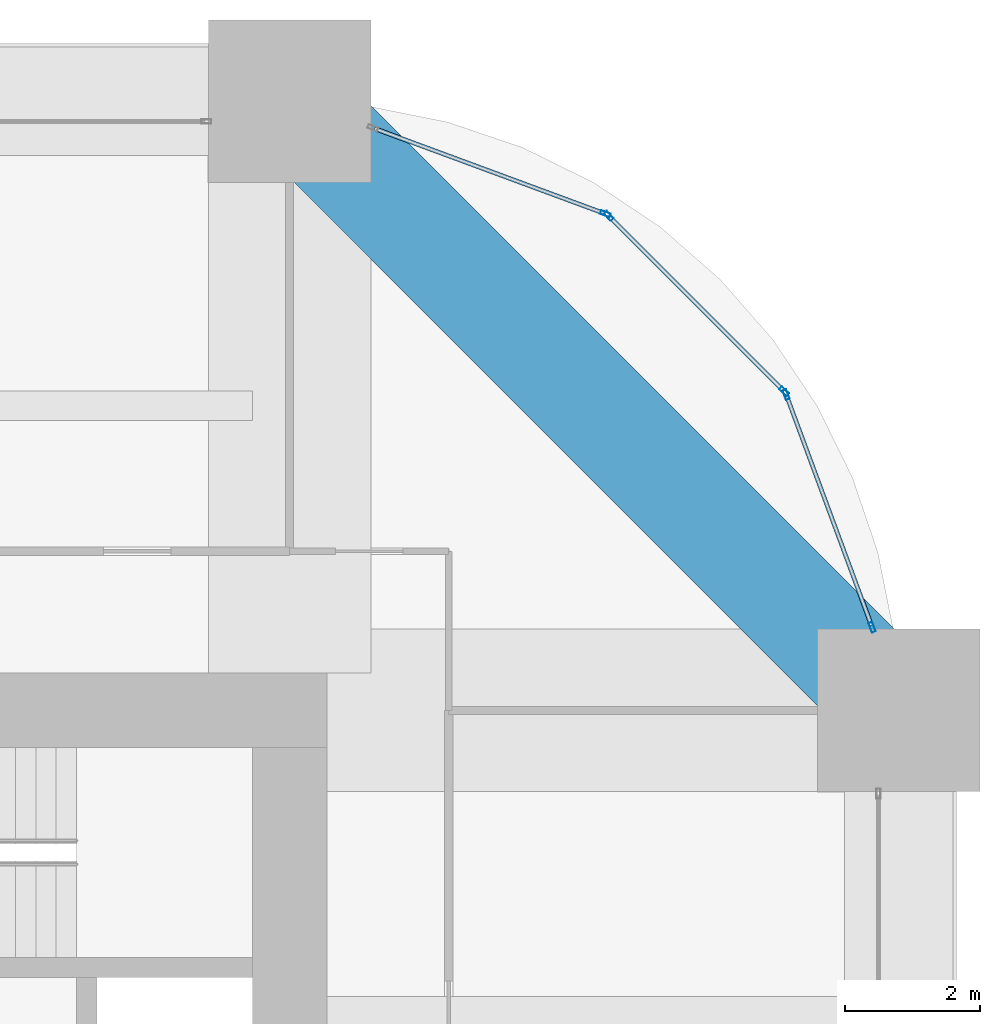
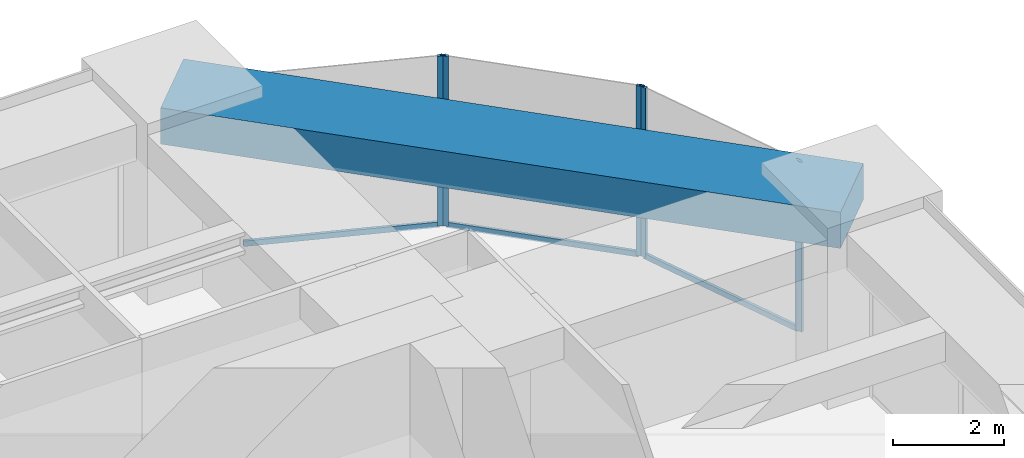
# One storey, part 28 of 35: 8 members, 1 beam, 3 elements without a shape of their own.
"""IFC4 building model written with IfcOpenShell, lengths in metres."""

import ifcopenshell
import ifcopenshell.guid

model = None  # the IFC model being written
_history = None  # IfcOwnerHistory: only IFC2X3 demands one
_inside = {}  # id of a spatial element -> (the spatial element, [elements in it])
_under = {}  # id of a project, library or spatial element -> (it, [spatial elements below it])
_declared = {}  # id of a project -> (the project, [libraries it declares])
_typed = {}  # id of a type object -> (the type object, [elements of that type])
_made_of = {}  # id of a material, layer set ... -> (it, [elements and type objects made of it])


def new_model(schema):
    """Start an empty IFC model of exactly this schema.

    Asked for "IFC4X3", IfcOpenShell would pick the latest addendum, in which some entities
    have other attributes; the version numbers below select the first issue.
    IFC2X3 requires an IfcOwnerHistory on every rooted entity: one is made here for all.
    """
    global model, _history
    if schema == "IFC4X3":
        model = ifcopenshell.file(schema_version=(4, 3, 0, 0))
    else:
        model = ifcopenshell.file(schema=schema)
    _inside.clear()
    _under.clear()
    _declared.clear()
    _typed.clear()
    _made_of.clear()
    _history = None
    if model.schema == "IFC2X3":
        org = make("IfcOrganization", Name="unknown")
        user = make(
            "IfcPersonAndOrganization",
            ThePerson=make("IfcPerson", FamilyName="unknown"),
            TheOrganization=org,
        )
        app = make(
            "IfcApplication",
            ApplicationDeveloper=org,
            Version="unknown",
            ApplicationFullName="unknown",
            ApplicationIdentifier="unknown",
        )
        _history = make(
            "IfcOwnerHistory",
            OwningUser=user,
            OwningApplication=app,
            ChangeAction="ADDED",
            CreationDate=0,
        )
    return model


def make(cls, **values):
    """One entity of the class cls with the attributes given. An attribute that is None is left unset."""
    return model.create_entity(
        cls, **{name: value for name, value in values.items() if value is not None}
    )


def rooted(cls, **values):
    """An entity with a GlobalId (a new one), such as an element, a storey or a relation."""
    return make(cls, GlobalId=ifcopenshell.guid.new(), OwnerHistory=_history, **values)


def si_unit(unit_type, name, prefix=None):
    """IfcSIUnit, for example si_unit("LENGTHUNIT", "METRE", prefix="MILLI")."""
    return make("IfcSIUnit", UnitType=unit_type, Prefix=prefix, Name=name)


def assignment(units):
    """IfcUnitAssignment: the units of a project."""
    return None if units is None else make("IfcUnitAssignment", Units=units)


def point(xyz):
    """IfcCartesianPoint."""
    return None if xyz is None else make("IfcCartesianPoint", Coordinates=xyz)


def direction(xyz):
    """IfcDirection."""
    return None if xyz is None else make("IfcDirection", DirectionRatios=xyz)


def frame(location, z_axis=None, x_axis=None):
    """IfcAxis2Placement3D, a coordinate frame: its origin and axes. An axis left out is left unset."""
    return make(
        "IfcAxis2Placement3D",
        Location=point(location),
        Axis=direction(z_axis),
        RefDirection=direction(x_axis),
    )


def frame_2d(location, x_axis=None):
    """IfcAxis2Placement2D, a coordinate frame in the plane: its origin and x axis."""
    return make(
        "IfcAxis2Placement2D", Location=point(location), RefDirection=direction(x_axis)
    )


def origin():
    """The frame at (0, 0, 0) with its axes left unset."""
    return frame((0.0, 0.0, 0.0))


def origin_2d():
    """The frame at (0, 0) in the plane with its x axis left unset."""
    return frame_2d((0.0, 0.0))


def place(relative_to, where):
    """IfcLocalPlacement: puts the frame where relative to a parent placement (None: the world)."""
    return make(
        "IfcLocalPlacement", PlacementRelTo=relative_to, RelativePlacement=where
    )


def context(
    kind, dimensions, precision=None, world=None, true_north=None, identifier=None
):
    """IfcGeometricRepresentationContext, for example the 3D "Model" context."""
    return make(
        "IfcGeometricRepresentationContext",
        ContextIdentifier=identifier,
        ContextType=kind,
        CoordinateSpaceDimension=dimensions,
        Precision=precision,
        WorldCoordinateSystem=world,
        TrueNorth=true_north,
    )


def subcontext(parent, identifier, kind, view, scale=None):
    """IfcGeometricRepresentationSubContext, for example "Body" below "Model"."""
    return make(
        "IfcGeometricRepresentationSubContext",
        ContextIdentifier=identifier,
        ContextType=kind,
        ParentContext=parent,
        TargetScale=scale,
        TargetView=view,
    )


def project(units=None, contexts=None):
    """IfcProject with its units and contexts."""
    return rooted(
        "IfcProject",
        Name="project",
        RepresentationContexts=contexts,
        UnitsInContext=assignment(units),
    )


def spatial(cls, under=None, at=None, **own):
    """A site, building, storey or space (cls), placed at a placement, below another one or the project."""
    s = rooted(cls, ObjectPlacement=at, **own)
    if under is not None:
        _under.setdefault(under.id(), (under, []))[1].append(s)
    return s


def profile(cls, at=None, kind="AREA", **sizes):
    """A parametric profile (cls). Its sizes go by their IFC names, for example OverallWidth=200.0."""
    return make(cls, ProfileType=kind, Position=at, **sizes)


def rectangle(**sizes):
    """IfcRectangleProfileDef."""
    return profile("IfcRectangleProfileDef", **sizes)


def hollow_rectangle(**sizes):
    """IfcRectangleHollowProfileDef."""
    return profile("IfcRectangleHollowProfileDef", **sizes)


def extrude(swept, where, along, depth):
    """IfcExtrudedAreaSolid: the profile swept, set in the frame where, extruded along a direction by depth."""
    return make(
        "IfcExtrudedAreaSolid",
        SweptArea=swept,
        Position=where,
        ExtrudedDirection=direction(along),
        Depth=depth,
    )


def shape(context_of_items, identifier, shape_type, items):
    """IfcShapeRepresentation: the items that make up one representation, for example the "Body"."""
    return make(
        "IfcShapeRepresentation",
        ContextOfItems=context_of_items,
        RepresentationIdentifier=identifier,
        RepresentationType=shape_type,
        Items=items,
    )


def material(Name=None, Category=None):
    """IfcMaterial."""
    return make("IfcMaterial", Name=Name, Category=Category)


def material_profile(
    of_material, cross_section, Name=None, Category=None, Priority=None
):
    """IfcMaterialProfile: a cross section and its material."""
    return make(
        "IfcMaterialProfile",
        Name=Name,
        Material=of_material,
        Profile=cross_section,
        Priority=Priority,
        Category=Category,
    )


def profile_set(profiles, Name=None, composite=None):
    """IfcMaterialProfileSet."""
    return make(
        "IfcMaterialProfileSet",
        Name=Name,
        MaterialProfiles=profiles,
        CompositeProfile=composite,
    )


def made_of(thing, what):
    """Note that an element or type object is made of a material, layer set ...; save() writes the relation."""
    if what is not None:
        _made_of.setdefault(what.id(), (what, []))[1].append(thing)
    return thing


def type_object(cls, material=None, **own):
    """A type object (cls), such as IfcWallType, which elements share."""
    return made_of(rooted(cls, **own), material)


def element(
    cls,
    number,
    at=None,
    inside=None,
    cuts=None,
    type_object=None,
    material=None,
    context=None,
    identifier="Body",
    shape_type=None,
    held_by="IfcProductDefinitionShape",
    body=None,
    shapes=None,
    **own,
):
    """One element of the class cls, such as IfcWall. Its Tag is "e" and its number.

    at: its placement. inside: the storey or other place that contains it. cuts: it is an
    opening in that element (IfcRelVoidsElement). A single representation is given by context,
    identifier, shape_type and body (its items); several are given by shapes. held_by: the class
    of the entity that holds the representations. save() writes the other relations.
    """
    e = rooted(cls, Tag="e%d" % number, ObjectPlacement=at, **own)
    if body is not None:
        shapes = [shape(context, identifier, shape_type, body)]
    if shapes is not None:
        e.Representation = make(held_by, Representations=shapes)
    if inside is not None:
        _inside.setdefault(inside.id(), (inside, []))[1].append(e)
    if cuts is not None:
        rooted(
            "IfcRelVoidsElement", RelatingBuildingElement=cuts, RelatedOpeningElement=e
        )
    if type_object is not None:
        _typed.setdefault(type_object.id(), (type_object, []))[1].append(e)
    return made_of(e, material)


def aggregate(whole, parts):
    """IfcRelAggregates: a whole, such as a stair, and the parts it consists of."""
    return rooted("IfcRelAggregates", RelatingObject=whole, RelatedObjects=parts)


def save(model, path):
    """Write the relations noted so far, then the file.

    IfcRelAggregates (storeys below a building ...), IfcRelContainedInSpatialStructure (elements
    in a storey), IfcRelDefinesByType, IfcRelAssociatesMaterial and IfcRelDeclares: one each for
    every whole, place, type object, material and project.
    """
    for whole, parts in _under.values():
        aggregate(whole, parts)
    for where, things in _inside.values():
        rooted(
            "IfcRelContainedInSpatialStructure",
            RelatedElements=things,
            RelatingStructure=where,
        )
    for kind, things in _typed.values():
        rooted("IfcRelDefinesByType", RelatedObjects=things, RelatingType=kind)
    for what, things in _made_of.values():
        rooted("IfcRelAssociatesMaterial", RelatedObjects=things, RelatingMaterial=what)
    for by, libraries in _declared.values():
        rooted("IfcRelDeclares", RelatingContext=by, RelatedDefinitions=libraries)
    model.write(path)


model = new_model("IFC4")

# Units and contexts
model_context = context("Model", 3, precision=1e-05, world=origin(), true_north=direction((0.0, 1.0)))
body_context = subcontext(model_context, "Body", "Model", "MODEL_VIEW")
ifc_project = project(units=[si_unit("LENGTHUNIT", "METRE"), si_unit("AREAUNIT", "SQUARE_METRE"), si_unit("VOLUMEUNIT", "CUBIC_METRE"), si_unit("PLANEANGLEUNIT", "RADIAN"), si_unit("MASSUNIT", "GRAM", prefix="KILO")], contexts=[model_context])

# Site, building, storey
site_placement = place(None, origin())
site = spatial("IfcSite", under=ifc_project, at=site_placement, CompositionType="ELEMENT")
building_placement = place(site_placement, origin())
building = spatial("IfcBuilding", under=site, at=building_placement, Name="Zorevar Civic Tower", CompositionType="ELEMENT")
storey_placement = place(building_placement, frame((0.0, 0.0, 218.199951171875)))
storey = spatial("IfcBuildingStorey", under=building, at=storey_placement, Name="L53", CompositionType="ELEMENT", Elevation=218.199951171875)

# Curtain wall, members
ifc_material_1 = material(Name="Dark grey solar-control glass in black aluminium frame", Category="aluminium")
curtain_wall_type = type_object("IfcCurtainWallType", Name="Curtain wall CW4 high zone", PredefinedType="NOTDEFINED", material=ifc_material_1)
curtain_wall_1_placement = place(storey_placement, origin())
curtain_wall_1 = element("IfcCurtainWall", 1, at=curtain_wall_1_placement, inside=storey, type_object=curtain_wall_type, Name="CW4 L53", PredefinedType="NOTDEFINED")
ifc_material_2 = material(Name="Aluminium, black anodised", Category="aluminium")
ifc_material_profile_1 = material_profile(ifc_material_2, hollow_rectangle(XDim=0.06005859375, YDim=0.14990234375, WallThickness=0.00390625, at=origin_2d()), Name="AL 150x60x4")
ifc_profile_set_1 = profile_set([ifc_material_profile_1], Name="Aluminium, black anodised")
member_type_1 = type_object("IfcMemberType", Name="CW4 mullion AL 150x60x4", PredefinedType="MULLION", material=ifc_profile_set_1)
member_1_placement = place(storey_placement, frame((53.6064453125, 37.22802734375, 0.0), z_axis=(0.0, 0.0, 1.0), x_axis=(-0.937974588163, -0.346704012033, 0.0)))
member_1 = element("IfcMember", 2, at=member_1_placement, type_object=member_type_1, Name="CW4 mullion 1", PredefinedType="MULLION", context=body_context, shape_type="SweptSolid", body=[
    extrude(hollow_rectangle(XDim=0.06005859375, YDim=0.14990234375, WallThickness=0.00390625, at=origin_2d()), origin(), (0.0, 0.0, 1.0), 3.75),
])
member_2_placement = place(storey_placement, frame((52.336181640625, 40.66455078125, 0.0), z_axis=(0.0, 0.0, 1.0), x_axis=(-0.937974588163, -0.346704012033, 0.0)))
member_2 = element("IfcMember", 3, at=member_2_placement, type_object=member_type_1, Name="CW4 mullion 2", PredefinedType="MULLION", context=body_context, shape_type="SweptSolid", body=[
    extrude(hollow_rectangle(XDim=0.06005859375, YDim=0.14990234375, WallThickness=0.00390625, at=origin_2d()), origin(), (0.0, 0.0, 1.0), 3.75),
])

curtain_wall_2_placement = place(storey_placement, origin())
curtain_wall_2 = element("IfcCurtainWall", 4, at=curtain_wall_2_placement, inside=storey, type_object=curtain_wall_type, Name="CW4 L53", PredefinedType="NOTDEFINED")
member_3_placement = place(storey_placement, frame((52.3046875, 40.7138671875, 0.0), z_axis=(0.0, 0.0, 1.0), x_axis=(-0.707106781187, -0.707106781187, 0.0)))
member_3 = element("IfcMember", 5, at=member_3_placement, type_object=member_type_1, Name="CW4 mullion 1", PredefinedType="MULLION", context=body_context, shape_type="SweptSolid", body=[
    extrude(hollow_rectangle(XDim=0.06005859375, YDim=0.14990234375, WallThickness=0.00390625, at=origin_2d()), origin(), (0.0, 0.0, 1.0), 3.75),
])
member_4_placement = place(storey_placement, frame((49.7138671875, 43.3046875, 0.0), z_axis=(0.0, 0.0, 1.0), x_axis=(-0.707106781187, -0.707106781187, 0.0)))
member_4 = element("IfcMember", 6, at=member_4_placement, type_object=member_type_1, Name="CW4 mullion 2", PredefinedType="MULLION", context=body_context, shape_type="SweptSolid", body=[
    extrude(hollow_rectangle(XDim=0.06005859375, YDim=0.14990234375, WallThickness=0.00390625, at=origin_2d()), origin(), (0.0, 0.0, 1.0), 3.75),
])

# Curtain wall, member
curtain_wall_3_placement = place(storey_placement, origin())
curtain_wall_3 = element("IfcCurtainWall", 7, at=curtain_wall_3_placement, inside=storey, type_object=curtain_wall_type, Name="CW4 L53", PredefinedType="NOTDEFINED")
member_5_placement = place(storey_placement, frame((49.66455078125, 43.336181640625, 0.0), z_axis=(0.0, 0.0, 1.0), x_axis=(-0.346704012033, -0.937974588163, 0.0)))
member_5 = element("IfcMember", 8, at=member_5_placement, type_object=member_type_1, Name="CW4 mullion 1", PredefinedType="MULLION", context=body_context, shape_type="SweptSolid", body=[
    extrude(hollow_rectangle(XDim=0.06005859375, YDim=0.14990234375, WallThickness=0.00390625, at=origin_2d()), origin(), (0.0, 0.0, 1.0), 3.75),
])

# Member
ifc_material_3 = material(Name="Aluminium, black anodised", Category="aluminium")
ifc_material_profile_2 = material_profile(ifc_material_3, hollow_rectangle(XDim=0.06005859375, YDim=0.1201171875, WallThickness=0.0029296875, at=origin_2d()), Name="AL 120x60x3")
ifc_profile_set_2 = profile_set([ifc_material_profile_2], Name="Aluminium, black anodised")
member_type_2 = type_object("IfcMemberType", Name="CW4 transom AL 120x60x3", PredefinedType="USERDEFINED", material=ifc_profile_set_2)
member_6_placement = place(storey_placement, frame((53.595947265625, 37.25634765625, 0.030029296875), z_axis=(-0.346672169799, 0.93798635741, 0.0), x_axis=(-0.93798635741, -0.346672169799, 0.0)))
member_6 = element("IfcMember", 9, at=member_6_placement, type_object=member_type_2, Name="CW4 sill transom", ObjectType="TRANSOM", PredefinedType="USERDEFINED", context=body_context, shape_type="SweptSolid", body=[
    extrude(hollow_rectangle(XDim=0.06005859375, YDim=0.1201171875, WallThickness=0.0029296875, at=origin_2d()), origin(), (0.0, 0.0, 1.0), 3.603515625),
])

aggregate(curtain_wall_1, [member_1, member_2, member_6])

member_7_placement = place(storey_placement, frame((52.283447265625, 40.735107421875, 0.030029296875), z_axis=(-0.707106781187, 0.707106781187, 0.0), x_axis=(-0.707106781187, -0.707106781187, 0.0)))
member_7 = element("IfcMember", 10, at=member_7_placement, type_object=member_type_2, Name="CW4 sill transom", ObjectType="TRANSOM", PredefinedType="USERDEFINED", context=body_context, shape_type="SweptSolid", body=[
    extrude(hollow_rectangle(XDim=0.06005859375, YDim=0.1201171875, WallThickness=0.0029296875, at=origin_2d()), origin(), (0.0, 0.0, 1.0), 3.60400390625),
])

aggregate(curtain_wall_2, [member_3, member_4, member_7])

member_8_placement = place(storey_placement, frame((49.636474609375, 43.3466796875, 0.030029296875), z_axis=(-0.93798635741, 0.346672169799, 0.0), x_axis=(-0.346672169799, -0.93798635741, 0.0)))
member_8 = element("IfcMember", 11, at=member_8_placement, type_object=member_type_2, Name="CW4 sill transom", ObjectType="TRANSOM", PredefinedType="USERDEFINED", context=body_context, shape_type="SweptSolid", body=[
    extrude(hollow_rectangle(XDim=0.06005859375, YDim=0.1201171875, WallThickness=0.0029296875, at=origin_2d()), origin(), (0.0, 0.0, 1.0), 3.603515625),
])

aggregate(curtain_wall_3, [member_5, member_8])

# Beam
ifc_material_4 = material(Name="Concrete C50/60", Category="concrete")
ifc_material_profile_3 = material_profile(ifc_material_4, rectangle(XDim=1.60009765625, YDim=0.800048828125, at=origin_2d()), Name="RC 1600x800")
ifc_profile_set_3 = profile_set([ifc_material_profile_3], Name="Concrete C50/60")
beam_type = type_object("IfcBeamType", Name="Edge beam RC 1600x800", PredefinedType="SPANDREL", material=ifc_profile_set_3)
beam_placement = place(storey_placement, frame((54.0, 36.0, 3.35009765625), z_axis=(-0.707106781187, 0.707106781187, 0.0), x_axis=(-0.707106781187, -0.707106781187, 0.0)))
element("IfcBeam", 12, at=beam_placement, inside=storey, type_object=beam_type, Name="Corner edge beam L54", PredefinedType="SPANDREL", context=body_context, shape_type="SweptSolid", body=[
    extrude(rectangle(XDim=1.60009765625, YDim=0.800048828125, at=origin_2d()), origin(), (0.0, 0.0, 1.0), 12.72802734375),
])

save(model, "model.ifc")
